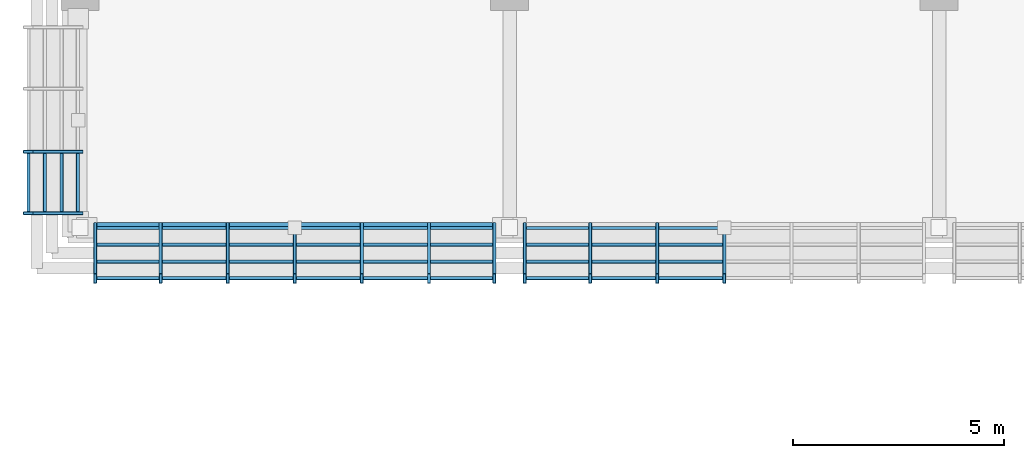
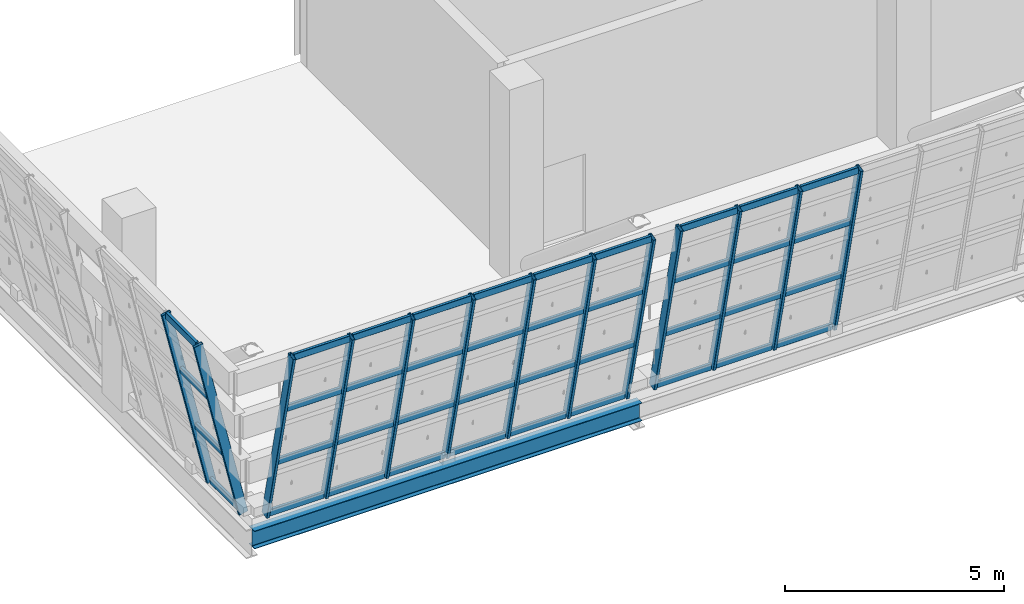
# One storey, part 21 of 175: 53 members, 1 beam, 3 elements without a shape of their own.
"""IFC4 building model written with IfcOpenShell, lengths in metres."""

from ifc_helpers import new_model, si_unit, direction, frame, origin, origin_2d, place, context, subcontext, project, spatial, hollow_rectangle, i_section, extrude, material, material_profile, profile_set, type_object, element, aggregate, save


model = new_model("IFC4")

# Units and contexts
model_context = context("Model", 3, precision=1e-05, world=origin(), true_north=direction((0.0, 1.0)))
body_context = subcontext(model_context, "Body", "Model", "MODEL_VIEW")
ifc_project = project(units=[si_unit("LENGTHUNIT", "METRE"), si_unit("AREAUNIT", "SQUARE_METRE"), si_unit("VOLUMEUNIT", "CUBIC_METRE"), si_unit("PLANEANGLEUNIT", "RADIAN"), si_unit("MASSUNIT", "GRAM", prefix="KILO")], contexts=[model_context])

# Site, building, storey
site_placement = place(None, origin())
site = spatial("IfcSite", under=ifc_project, at=site_placement, CompositionType="ELEMENT")
building_placement = place(site_placement, origin())
building = spatial("IfcBuilding", under=site, at=building_placement, Name="Brelvane Convention Centre", CompositionType="ELEMENT")
storey_placement = place(building_placement, frame((0.0, 0.0, 5.39990234375)))
storey = spatial("IfcBuildingStorey", under=building, at=storey_placement, Name="L01", CompositionType="ELEMENT", Elevation=5.39990234375)

# Curtain wall, members
ifc_material_1 = material(Name="Anodised Aluminium Alloy 6063-T6", Category="aluminium")
curtain_wall_type = type_object("IfcCurtainWallType", Name="Curtain Wall CW-HULL-S", PredefinedType="USERDEFINED", material=ifc_material_1)
curtain_wall_1_placement = place(storey_placement, origin())
curtain_wall_1 = element("IfcCurtainWall", 1, at=curtain_wall_1_placement, inside=storey, type_object=curtain_wall_type, Name="Curtain Wall CW-HULL-S L01-HULL-S-L01-01", ObjectType="UNITISED", PredefinedType="USERDEFINED")
ifc_material_2 = material(Name="Anodised Aluminium Alloy 6063-T6", Category="aluminium")
ifc_material_profile_1 = material_profile(ifc_material_2, hollow_rectangle(XDim=0.080078125, YDim=0.239990234375, WallThickness=0.006103515625, InnerFilletRadius=0.006103515625, OuterFilletRadius=0.011962890625, at=origin_2d()), Name="ALU-M 240x80x6.0")
ifc_profile_set_1 = profile_set([ifc_material_profile_1], Name="Anodised Aluminium Alloy 6063-T6")
member_type_1 = type_object("IfcMemberType", Name="Curtain Mullion CW-M1", PredefinedType="MULLION", material=ifc_profile_set_1)
member_1_placement = place(storey_placement, frame((0.360107421875, 13.60009765625, 0.0), z_axis=(0.0, -0.228360162456, 0.973576723326), x_axis=(1.0, 0.0, 0.0)))
member_1 = element("IfcMember", 2, at=member_1_placement, type_object=member_type_1, Name="CW-HULL-S mullion 1", PredefinedType="MULLION", context=body_context, shape_type="SweptSolid", body=[
    extrude(hollow_rectangle(XDim=0.080078125, YDim=0.239990234375, WallThickness=0.006103515625, InnerFilletRadius=0.006103515625, OuterFilletRadius=0.011962890625, at=origin_2d()), origin(), (0.0, 0.0, 1.0), 5.2900390625),
])
member_2_placement = place(storey_placement, frame((1.913330078125, 13.60009765625, 0.0), z_axis=(0.0, -0.228360162456, 0.973576723326), x_axis=(1.0, 0.0, 0.0)))
member_2 = element("IfcMember", 3, at=member_2_placement, type_object=member_type_1, Name="CW-HULL-S mullion 2", PredefinedType="MULLION", context=body_context, shape_type="SweptSolid", body=[
    extrude(hollow_rectangle(XDim=0.080078125, YDim=0.239990234375, WallThickness=0.006103515625, InnerFilletRadius=0.006103515625, OuterFilletRadius=0.011962890625, at=origin_2d()), origin(), (0.0, 0.0, 1.0), 5.2900390625),
])
member_3_placement = place(storey_placement, frame((3.506591796875, 13.60009765625, 0.0), z_axis=(0.0, -0.228360162456, 0.973576723326), x_axis=(1.0, 0.0, 0.0)))
member_3 = element("IfcMember", 4, at=member_3_placement, type_object=member_type_1, Name="CW-HULL-S mullion 3", PredefinedType="MULLION", context=body_context, shape_type="SweptSolid", body=[
    extrude(hollow_rectangle(XDim=0.080078125, YDim=0.239990234375, WallThickness=0.006103515625, InnerFilletRadius=0.006103515625, OuterFilletRadius=0.011962890625, at=origin_2d()), origin(), (0.0, 0.0, 1.0), 5.2900390625),
])
member_4_placement = place(storey_placement, frame((5.10009765625, 13.60009765625, 0.0), z_axis=(0.0, -0.228360162456, 0.973576723326), x_axis=(1.0, 0.0, 0.0)))
member_4 = element("IfcMember", 5, at=member_4_placement, type_object=member_type_1, Name="CW-HULL-S mullion 4", PredefinedType="MULLION", context=body_context, shape_type="SweptSolid", body=[
    extrude(hollow_rectangle(XDim=0.080078125, YDim=0.239990234375, WallThickness=0.006103515625, InnerFilletRadius=0.006103515625, OuterFilletRadius=0.011962890625, at=origin_2d()), origin(), (0.0, 0.0, 1.0), 5.2900390625),
])
member_5_placement = place(storey_placement, frame((6.693359375, 13.60009765625, 0.0), z_axis=(0.0, -0.228360162456, 0.973576723326), x_axis=(1.0, 0.0, 0.0)))
member_5 = element("IfcMember", 6, at=member_5_placement, type_object=member_type_1, Name="CW-HULL-S mullion 5", PredefinedType="MULLION", context=body_context, shape_type="SweptSolid", body=[
    extrude(hollow_rectangle(XDim=0.080078125, YDim=0.239990234375, WallThickness=0.006103515625, InnerFilletRadius=0.006103515625, OuterFilletRadius=0.011962890625, at=origin_2d()), origin(), (0.0, 0.0, 1.0), 5.2900390625),
])
member_6_placement = place(storey_placement, frame((8.28662109375, 13.60009765625, 0.0), z_axis=(0.0, -0.228360162456, 0.973576723326), x_axis=(1.0, 0.0, 0.0)))
member_6 = element("IfcMember", 7, at=member_6_placement, type_object=member_type_1, Name="CW-HULL-S mullion 6", PredefinedType="MULLION", context=body_context, shape_type="SweptSolid", body=[
    extrude(hollow_rectangle(XDim=0.080078125, YDim=0.239990234375, WallThickness=0.006103515625, InnerFilletRadius=0.006103515625, OuterFilletRadius=0.011962890625, at=origin_2d()), origin(), (0.0, 0.0, 1.0), 5.2900390625),
])
member_7_placement = place(storey_placement, frame((9.840087890625, 13.60009765625, 0.0), z_axis=(0.0, -0.228360162456, 0.973576723326), x_axis=(1.0, 0.0, 0.0)))
member_7 = element("IfcMember", 8, at=member_7_placement, type_object=member_type_1, Name="CW-HULL-S mullion 7", PredefinedType="MULLION", context=body_context, shape_type="SweptSolid", body=[
    extrude(hollow_rectangle(XDim=0.080078125, YDim=0.239990234375, WallThickness=0.006103515625, InnerFilletRadius=0.006103515625, OuterFilletRadius=0.011962890625, at=origin_2d()), origin(), (0.0, 0.0, 1.0), 5.2900390625),
])

curtain_wall_2_placement = place(storey_placement, origin())
curtain_wall_2 = element("IfcCurtainWall", 9, at=curtain_wall_2_placement, inside=storey, type_object=curtain_wall_type, Name="Curtain Wall CW-HULL-S L01-HULL-S-L01-02", ObjectType="UNITISED", PredefinedType="USERDEFINED")
member_8_placement = place(storey_placement, frame((10.56005859375, 13.60009765625, 0.0), z_axis=(0.0, -0.228360162456, 0.973576723326), x_axis=(1.0, 0.0, 0.0)))
member_8 = element("IfcMember", 10, at=member_8_placement, type_object=member_type_1, Name="CW-HULL-S mullion 1", PredefinedType="MULLION", context=body_context, shape_type="SweptSolid", body=[
    extrude(hollow_rectangle(XDim=0.080078125, YDim=0.239990234375, WallThickness=0.006103515625, InnerFilletRadius=0.006103515625, OuterFilletRadius=0.011962890625, at=origin_2d()), origin(), (0.0, 0.0, 1.0), 5.2900390625),
])
member_9_placement = place(storey_placement, frame((12.11328125, 13.60009765625, 0.0), z_axis=(0.0, -0.228360162456, 0.973576723326), x_axis=(1.0, 0.0, 0.0)))
member_9 = element("IfcMember", 11, at=member_9_placement, type_object=member_type_1, Name="CW-HULL-S mullion 2", PredefinedType="MULLION", context=body_context, shape_type="SweptSolid", body=[
    extrude(hollow_rectangle(XDim=0.080078125, YDim=0.239990234375, WallThickness=0.006103515625, InnerFilletRadius=0.006103515625, OuterFilletRadius=0.011962890625, at=origin_2d()), origin(), (0.0, 0.0, 1.0), 5.2900390625),
])
member_10_placement = place(storey_placement, frame((13.706787109375, 13.60009765625, 0.0), z_axis=(0.0, -0.228360162456, 0.973576723326), x_axis=(1.0, 0.0, 0.0)))
member_10 = element("IfcMember", 12, at=member_10_placement, type_object=member_type_1, Name="CW-HULL-S mullion 3", PredefinedType="MULLION", context=body_context, shape_type="SweptSolid", body=[
    extrude(hollow_rectangle(XDim=0.080078125, YDim=0.239990234375, WallThickness=0.006103515625, InnerFilletRadius=0.006103515625, OuterFilletRadius=0.011962890625, at=origin_2d()), origin(), (0.0, 0.0, 1.0), 5.2900390625),
])
member_11_placement = place(storey_placement, frame((15.300048828125, 13.60009765625, 0.0), z_axis=(0.0, -0.228360162456, 0.973576723326), x_axis=(1.0, 0.0, 0.0)))
member_11 = element("IfcMember", 13, at=member_11_placement, type_object=member_type_1, Name="CW-HULL-S mullion 4", PredefinedType="MULLION", context=body_context, shape_type="SweptSolid", body=[
    extrude(hollow_rectangle(XDim=0.080078125, YDim=0.239990234375, WallThickness=0.006103515625, InnerFilletRadius=0.006103515625, OuterFilletRadius=0.011962890625, at=origin_2d()), origin(), (0.0, 0.0, 1.0), 5.2900390625),
])

curtain_wall_3_placement = place(storey_placement, origin())
curtain_wall_3 = element("IfcCurtainWall", 14, at=curtain_wall_3_placement, inside=storey, type_object=curtain_wall_type, Name="Curtain Wall CW-HULL-S L01-HULL-W-GAL-L01-A", ObjectType="UNITISED", PredefinedType="USERDEFINED")
member_12_placement = place(storey_placement, frame((-0.0400390625, 13.93994140625, 0.0), z_axis=(-0.228329922226, 0.0, 0.973583815917), x_axis=(0.0, -1.0, 0.0)))
member_12 = element("IfcMember", 15, at=member_12_placement, type_object=member_type_1, Name="CW-HULL-S mullion 1", PredefinedType="MULLION", context=body_context, shape_type="SweptSolid", body=[
    extrude(hollow_rectangle(XDim=0.080078125, YDim=0.239990234375, WallThickness=0.006103515625, InnerFilletRadius=0.006103515625, OuterFilletRadius=0.011962890625, at=origin_2d()), origin(), (0.0, 0.0, 1.0), 5.218017578125),
])
member_13_placement = place(storey_placement, frame((-0.0400390625, 15.39990234375, 0.0), z_axis=(-0.228329922226, 0.0, 0.973583815917), x_axis=(0.0, -1.0, 0.0)))
member_13 = element("IfcMember", 16, at=member_13_placement, type_object=member_type_1, Name="CW-HULL-S mullion 2", PredefinedType="MULLION", context=body_context, shape_type="SweptSolid", body=[
    extrude(hollow_rectangle(XDim=0.080078125, YDim=0.239990234375, WallThickness=0.006103515625, InnerFilletRadius=0.006103515625, OuterFilletRadius=0.011962890625, at=origin_2d()), origin(), (0.0, 0.0, 1.0), 5.218017578125),
])

# Member
ifc_material_3 = material(Name="Anodised Aluminium Alloy 6063-T6", Category="aluminium")
ifc_material_profile_2 = material_profile(ifc_material_3, hollow_rectangle(XDim=0.080078125, YDim=0.179931640625, WallThickness=0.0048828125, InnerFilletRadius=0.0048828125, OuterFilletRadius=0.010009765625, at=origin_2d()), Name="ALU-T 180x80x5.0")
ifc_profile_set_2 = profile_set([ifc_material_profile_2], Name="Anodised Aluminium Alloy 6063-T6")
member_type_2 = type_object("IfcMemberType", Name="Curtain Transom CW-T1", PredefinedType="USERDEFINED", material=ifc_profile_set_2)
member_14_placement = place(storey_placement, frame((0.39990234375, 13.590576171875, 0.0400390625), z_axis=(1.0, 0.0, 0.0), x_axis=(0.0, 1.0, 0.0)))
member_14 = element("IfcMember", 17, at=member_14_placement, type_object=member_type_2, Name="CW-HULL-S transom 1.1", ObjectType="TRANSOM", PredefinedType="USERDEFINED", context=body_context, shape_type="SweptSolid", body=[
    extrude(hollow_rectangle(XDim=0.080078125, YDim=0.179931640625, WallThickness=0.0048828125, InnerFilletRadius=0.0048828125, OuterFilletRadius=0.010009765625, at=origin_2d()), origin(), (0.0, 0.0, 1.0), 1.473388671875),
])

member_15_placement = place(storey_placement, frame((0.39990234375, 13.197265625, 1.716796875), z_axis=(1.0, 0.0, 0.0), x_axis=(0.0, 1.0, 0.0)))
member_15 = element("IfcMember", 18, at=member_15_placement, type_object=member_type_2, Name="CW-HULL-S transom 1.2", ObjectType="TRANSOM", PredefinedType="USERDEFINED", context=body_context, shape_type="SweptSolid", body=[
    extrude(hollow_rectangle(XDim=0.080078125, YDim=0.179931640625, WallThickness=0.0048828125, InnerFilletRadius=0.0048828125, OuterFilletRadius=0.010009765625, at=origin_2d()), origin(), (0.0, 0.0, 1.0), 1.473388671875),
])

member_16_placement = place(storey_placement, frame((0.39990234375, 12.794677734375, 3.433349609375), z_axis=(1.0, 0.0, 0.0), x_axis=(0.0, 1.0, 0.0)))
member_16 = element("IfcMember", 19, at=member_16_placement, type_object=member_type_2, Name="CW-HULL-S transom 1.3", ObjectType="TRANSOM", PredefinedType="USERDEFINED", context=body_context, shape_type="SweptSolid", body=[
    extrude(hollow_rectangle(XDim=0.080078125, YDim=0.179931640625, WallThickness=0.0048828125, InnerFilletRadius=0.0048828125, OuterFilletRadius=0.010009765625, at=origin_2d()), origin(), (0.0, 0.0, 1.0), 1.473388671875),
])

member_17_placement = place(storey_placement, frame((0.39990234375, 12.4013671875, 5.110107421875), z_axis=(1.0, 0.0, 0.0), x_axis=(0.0, 1.0, 0.0)))
member_17 = element("IfcMember", 20, at=member_17_placement, type_object=member_type_2, Name="CW-HULL-S transom 1.4", ObjectType="TRANSOM", PredefinedType="USERDEFINED", context=body_context, shape_type="SweptSolid", body=[
    extrude(hollow_rectangle(XDim=0.080078125, YDim=0.179931640625, WallThickness=0.0048828125, InnerFilletRadius=0.0048828125, OuterFilletRadius=0.010009765625, at=origin_2d()), origin(), (0.0, 0.0, 1.0), 1.473388671875),
])

member_18_placement = place(storey_placement, frame((1.953369140625, 13.590576171875, 0.0400390625), z_axis=(1.0, 0.0, 0.0), x_axis=(0.0, 1.0, 0.0)))
member_18 = element("IfcMember", 21, at=member_18_placement, type_object=member_type_2, Name="CW-HULL-S transom 2.1", ObjectType="TRANSOM", PredefinedType="USERDEFINED", context=body_context, shape_type="SweptSolid", body=[
    extrude(hollow_rectangle(XDim=0.080078125, YDim=0.179931640625, WallThickness=0.0048828125, InnerFilletRadius=0.0048828125, OuterFilletRadius=0.010009765625, at=origin_2d()), origin(), (0.0, 0.0, 1.0), 1.51318359375),
])

member_19_placement = place(storey_placement, frame((1.953369140625, 13.197265625, 1.716796875), z_axis=(1.0, 0.0, 0.0), x_axis=(0.0, 1.0, 0.0)))
member_19 = element("IfcMember", 22, at=member_19_placement, type_object=member_type_2, Name="CW-HULL-S transom 2.2", ObjectType="TRANSOM", PredefinedType="USERDEFINED", context=body_context, shape_type="SweptSolid", body=[
    extrude(hollow_rectangle(XDim=0.080078125, YDim=0.179931640625, WallThickness=0.0048828125, InnerFilletRadius=0.0048828125, OuterFilletRadius=0.010009765625, at=origin_2d()), origin(), (0.0, 0.0, 1.0), 1.51318359375),
])

member_20_placement = place(storey_placement, frame((1.953369140625, 12.794677734375, 3.433349609375), z_axis=(1.0, 0.0, 0.0), x_axis=(0.0, 1.0, 0.0)))
member_20 = element("IfcMember", 23, at=member_20_placement, type_object=member_type_2, Name="CW-HULL-S transom 2.3", ObjectType="TRANSOM", PredefinedType="USERDEFINED", context=body_context, shape_type="SweptSolid", body=[
    extrude(hollow_rectangle(XDim=0.080078125, YDim=0.179931640625, WallThickness=0.0048828125, InnerFilletRadius=0.0048828125, OuterFilletRadius=0.010009765625, at=origin_2d()), origin(), (0.0, 0.0, 1.0), 1.51318359375),
])

member_21_placement = place(storey_placement, frame((1.953369140625, 12.4013671875, 5.110107421875), z_axis=(1.0, 0.0, 0.0), x_axis=(0.0, 1.0, 0.0)))
member_21 = element("IfcMember", 24, at=member_21_placement, type_object=member_type_2, Name="CW-HULL-S transom 2.4", ObjectType="TRANSOM", PredefinedType="USERDEFINED", context=body_context, shape_type="SweptSolid", body=[
    extrude(hollow_rectangle(XDim=0.080078125, YDim=0.179931640625, WallThickness=0.0048828125, InnerFilletRadius=0.0048828125, OuterFilletRadius=0.010009765625, at=origin_2d()), origin(), (0.0, 0.0, 1.0), 1.51318359375),
])

member_22_placement = place(storey_placement, frame((3.546630859375, 13.590576171875, 0.0400390625), z_axis=(1.0, 0.0, 0.0), x_axis=(0.0, 1.0, 0.0)))
member_22 = element("IfcMember", 25, at=member_22_placement, type_object=member_type_2, Name="CW-HULL-S transom 3.1", ObjectType="TRANSOM", PredefinedType="USERDEFINED", context=body_context, shape_type="SweptSolid", body=[
    extrude(hollow_rectangle(XDim=0.080078125, YDim=0.179931640625, WallThickness=0.0048828125, InnerFilletRadius=0.0048828125, OuterFilletRadius=0.010009765625, at=origin_2d()), origin(), (0.0, 0.0, 1.0), 1.513427734375),
])

member_23_placement = place(storey_placement, frame((3.546630859375, 13.197265625, 1.716796875), z_axis=(1.0, 0.0, 0.0), x_axis=(0.0, 1.0, 0.0)))
member_23 = element("IfcMember", 26, at=member_23_placement, type_object=member_type_2, Name="CW-HULL-S transom 3.2", ObjectType="TRANSOM", PredefinedType="USERDEFINED", context=body_context, shape_type="SweptSolid", body=[
    extrude(hollow_rectangle(XDim=0.080078125, YDim=0.179931640625, WallThickness=0.0048828125, InnerFilletRadius=0.0048828125, OuterFilletRadius=0.010009765625, at=origin_2d()), origin(), (0.0, 0.0, 1.0), 1.513427734375),
])

member_24_placement = place(storey_placement, frame((3.546630859375, 12.794677734375, 3.433349609375), z_axis=(1.0, 0.0, 0.0), x_axis=(0.0, 1.0, 0.0)))
member_24 = element("IfcMember", 27, at=member_24_placement, type_object=member_type_2, Name="CW-HULL-S transom 3.3", ObjectType="TRANSOM", PredefinedType="USERDEFINED", context=body_context, shape_type="SweptSolid", body=[
    extrude(hollow_rectangle(XDim=0.080078125, YDim=0.179931640625, WallThickness=0.0048828125, InnerFilletRadius=0.0048828125, OuterFilletRadius=0.010009765625, at=origin_2d()), origin(), (0.0, 0.0, 1.0), 1.513427734375),
])

member_25_placement = place(storey_placement, frame((3.546630859375, 12.4013671875, 5.110107421875), z_axis=(1.0, 0.0, 0.0), x_axis=(0.0, 1.0, 0.0)))
member_25 = element("IfcMember", 28, at=member_25_placement, type_object=member_type_2, Name="CW-HULL-S transom 3.4", ObjectType="TRANSOM", PredefinedType="USERDEFINED", context=body_context, shape_type="SweptSolid", body=[
    extrude(hollow_rectangle(XDim=0.080078125, YDim=0.179931640625, WallThickness=0.0048828125, InnerFilletRadius=0.0048828125, OuterFilletRadius=0.010009765625, at=origin_2d()), origin(), (0.0, 0.0, 1.0), 1.513427734375),
])

member_26_placement = place(storey_placement, frame((5.139892578125, 13.590576171875, 0.0400390625), z_axis=(1.0, 0.0, 0.0), x_axis=(0.0, 1.0, 0.0)))
member_26 = element("IfcMember", 29, at=member_26_placement, type_object=member_type_2, Name="CW-HULL-S transom 4.1", ObjectType="TRANSOM", PredefinedType="USERDEFINED", context=body_context, shape_type="SweptSolid", body=[
    extrude(hollow_rectangle(XDim=0.080078125, YDim=0.179931640625, WallThickness=0.0048828125, InnerFilletRadius=0.0048828125, OuterFilletRadius=0.010009765625, at=origin_2d()), origin(), (0.0, 0.0, 1.0), 1.513427734375),
])

member_27_placement = place(storey_placement, frame((5.139892578125, 13.197265625, 1.716796875), z_axis=(1.0, 0.0, 0.0), x_axis=(0.0, 1.0, 0.0)))
member_27 = element("IfcMember", 30, at=member_27_placement, type_object=member_type_2, Name="CW-HULL-S transom 4.2", ObjectType="TRANSOM", PredefinedType="USERDEFINED", context=body_context, shape_type="SweptSolid", body=[
    extrude(hollow_rectangle(XDim=0.080078125, YDim=0.179931640625, WallThickness=0.0048828125, InnerFilletRadius=0.0048828125, OuterFilletRadius=0.010009765625, at=origin_2d()), origin(), (0.0, 0.0, 1.0), 1.513427734375),
])

member_28_placement = place(storey_placement, frame((5.139892578125, 12.794677734375, 3.433349609375), z_axis=(1.0, 0.0, 0.0), x_axis=(0.0, 1.0, 0.0)))
member_28 = element("IfcMember", 31, at=member_28_placement, type_object=member_type_2, Name="CW-HULL-S transom 4.3", ObjectType="TRANSOM", PredefinedType="USERDEFINED", context=body_context, shape_type="SweptSolid", body=[
    extrude(hollow_rectangle(XDim=0.080078125, YDim=0.179931640625, WallThickness=0.0048828125, InnerFilletRadius=0.0048828125, OuterFilletRadius=0.010009765625, at=origin_2d()), origin(), (0.0, 0.0, 1.0), 1.513427734375),
])

member_29_placement = place(storey_placement, frame((5.139892578125, 12.4013671875, 5.110107421875), z_axis=(1.0, 0.0, 0.0), x_axis=(0.0, 1.0, 0.0)))
member_29 = element("IfcMember", 32, at=member_29_placement, type_object=member_type_2, Name="CW-HULL-S transom 4.4", ObjectType="TRANSOM", PredefinedType="USERDEFINED", context=body_context, shape_type="SweptSolid", body=[
    extrude(hollow_rectangle(XDim=0.080078125, YDim=0.179931640625, WallThickness=0.0048828125, InnerFilletRadius=0.0048828125, OuterFilletRadius=0.010009765625, at=origin_2d()), origin(), (0.0, 0.0, 1.0), 1.513427734375),
])

member_30_placement = place(storey_placement, frame((6.7333984375, 13.590576171875, 0.0400390625), z_axis=(1.0, 0.0, 0.0), x_axis=(0.0, 1.0, 0.0)))
member_30 = element("IfcMember", 33, at=member_30_placement, type_object=member_type_2, Name="CW-HULL-S transom 5.1", ObjectType="TRANSOM", PredefinedType="USERDEFINED", context=body_context, shape_type="SweptSolid", body=[
    extrude(hollow_rectangle(XDim=0.080078125, YDim=0.179931640625, WallThickness=0.0048828125, InnerFilletRadius=0.0048828125, OuterFilletRadius=0.010009765625, at=origin_2d()), origin(), (0.0, 0.0, 1.0), 1.51318359375),
])

member_31_placement = place(storey_placement, frame((6.7333984375, 13.197265625, 1.716796875), z_axis=(1.0, 0.0, 0.0), x_axis=(0.0, 1.0, 0.0)))
member_31 = element("IfcMember", 34, at=member_31_placement, type_object=member_type_2, Name="CW-HULL-S transom 5.2", ObjectType="TRANSOM", PredefinedType="USERDEFINED", context=body_context, shape_type="SweptSolid", body=[
    extrude(hollow_rectangle(XDim=0.080078125, YDim=0.179931640625, WallThickness=0.0048828125, InnerFilletRadius=0.0048828125, OuterFilletRadius=0.010009765625, at=origin_2d()), origin(), (0.0, 0.0, 1.0), 1.51318359375),
])

member_32_placement = place(storey_placement, frame((6.7333984375, 12.794677734375, 3.433349609375), z_axis=(1.0, 0.0, 0.0), x_axis=(0.0, 1.0, 0.0)))
member_32 = element("IfcMember", 35, at=member_32_placement, type_object=member_type_2, Name="CW-HULL-S transom 5.3", ObjectType="TRANSOM", PredefinedType="USERDEFINED", context=body_context, shape_type="SweptSolid", body=[
    extrude(hollow_rectangle(XDim=0.080078125, YDim=0.179931640625, WallThickness=0.0048828125, InnerFilletRadius=0.0048828125, OuterFilletRadius=0.010009765625, at=origin_2d()), origin(), (0.0, 0.0, 1.0), 1.51318359375),
])

member_33_placement = place(storey_placement, frame((6.7333984375, 12.4013671875, 5.110107421875), z_axis=(1.0, 0.0, 0.0), x_axis=(0.0, 1.0, 0.0)))
member_33 = element("IfcMember", 36, at=member_33_placement, type_object=member_type_2, Name="CW-HULL-S transom 5.4", ObjectType="TRANSOM", PredefinedType="USERDEFINED", context=body_context, shape_type="SweptSolid", body=[
    extrude(hollow_rectangle(XDim=0.080078125, YDim=0.179931640625, WallThickness=0.0048828125, InnerFilletRadius=0.0048828125, OuterFilletRadius=0.010009765625, at=origin_2d()), origin(), (0.0, 0.0, 1.0), 1.51318359375),
])

member_34_placement = place(storey_placement, frame((8.32666015625, 13.590576171875, 0.0400390625), z_axis=(1.0, 0.0, 0.0), x_axis=(0.0, 1.0, 0.0)))
member_34 = element("IfcMember", 37, at=member_34_placement, type_object=member_type_2, Name="CW-HULL-S transom 6.1", ObjectType="TRANSOM", PredefinedType="USERDEFINED", context=body_context, shape_type="SweptSolid", body=[
    extrude(hollow_rectangle(XDim=0.080078125, YDim=0.179931640625, WallThickness=0.0048828125, InnerFilletRadius=0.0048828125, OuterFilletRadius=0.010009765625, at=origin_2d()), origin(), (0.0, 0.0, 1.0), 1.473388671875),
])

member_35_placement = place(storey_placement, frame((8.32666015625, 13.197265625, 1.716796875), z_axis=(1.0, 0.0, 0.0), x_axis=(0.0, 1.0, 0.0)))
member_35 = element("IfcMember", 38, at=member_35_placement, type_object=member_type_2, Name="CW-HULL-S transom 6.2", ObjectType="TRANSOM", PredefinedType="USERDEFINED", context=body_context, shape_type="SweptSolid", body=[
    extrude(hollow_rectangle(XDim=0.080078125, YDim=0.179931640625, WallThickness=0.0048828125, InnerFilletRadius=0.0048828125, OuterFilletRadius=0.010009765625, at=origin_2d()), origin(), (0.0, 0.0, 1.0), 1.473388671875),
])

member_36_placement = place(storey_placement, frame((8.32666015625, 12.794677734375, 3.433349609375), z_axis=(1.0, 0.0, 0.0), x_axis=(0.0, 1.0, 0.0)))
member_36 = element("IfcMember", 39, at=member_36_placement, type_object=member_type_2, Name="CW-HULL-S transom 6.3", ObjectType="TRANSOM", PredefinedType="USERDEFINED", context=body_context, shape_type="SweptSolid", body=[
    extrude(hollow_rectangle(XDim=0.080078125, YDim=0.179931640625, WallThickness=0.0048828125, InnerFilletRadius=0.0048828125, OuterFilletRadius=0.010009765625, at=origin_2d()), origin(), (0.0, 0.0, 1.0), 1.473388671875),
])

member_37_placement = place(storey_placement, frame((8.32666015625, 12.4013671875, 5.110107421875), z_axis=(1.0, 0.0, 0.0), x_axis=(0.0, 1.0, 0.0)))
member_37 = element("IfcMember", 40, at=member_37_placement, type_object=member_type_2, Name="CW-HULL-S transom 6.4", ObjectType="TRANSOM", PredefinedType="USERDEFINED", context=body_context, shape_type="SweptSolid", body=[
    extrude(hollow_rectangle(XDim=0.080078125, YDim=0.179931640625, WallThickness=0.0048828125, InnerFilletRadius=0.0048828125, OuterFilletRadius=0.010009765625, at=origin_2d()), origin(), (0.0, 0.0, 1.0), 1.473388671875),
])

aggregate(curtain_wall_1, [member_1, member_2, member_3, member_4, member_5, member_6, member_7, member_14, member_15, member_16, member_17, member_18, member_19, member_20, member_21, member_22, member_23, member_24, member_25, member_26, member_27, member_28, member_29, member_30, member_31, member_32, member_33, member_34, member_35, member_36, member_37])

member_38_placement = place(storey_placement, frame((10.60009765625, 13.590576171875, 0.0400390625), z_axis=(1.0, 0.0, 0.0), x_axis=(0.0, 1.0, 0.0)))
member_38 = element("IfcMember", 41, at=member_38_placement, type_object=member_type_2, Name="CW-HULL-S transom 1.1", ObjectType="TRANSOM", PredefinedType="USERDEFINED", context=body_context, shape_type="SweptSolid", body=[
    extrude(hollow_rectangle(XDim=0.080078125, YDim=0.179931640625, WallThickness=0.0048828125, InnerFilletRadius=0.0048828125, OuterFilletRadius=0.010009765625, at=origin_2d()), origin(), (0.0, 0.0, 1.0), 1.47314453125),
])

member_39_placement = place(storey_placement, frame((10.60009765625, 13.197265625, 1.716796875), z_axis=(1.0, 0.0, 0.0), x_axis=(0.0, 1.0, 0.0)))
member_39 = element("IfcMember", 42, at=member_39_placement, type_object=member_type_2, Name="CW-HULL-S transom 1.2", ObjectType="TRANSOM", PredefinedType="USERDEFINED", context=body_context, shape_type="SweptSolid", body=[
    extrude(hollow_rectangle(XDim=0.080078125, YDim=0.179931640625, WallThickness=0.0048828125, InnerFilletRadius=0.0048828125, OuterFilletRadius=0.010009765625, at=origin_2d()), origin(), (0.0, 0.0, 1.0), 1.47314453125),
])

member_40_placement = place(storey_placement, frame((10.60009765625, 12.794677734375, 3.433349609375), z_axis=(1.0, 0.0, 0.0), x_axis=(0.0, 1.0, 0.0)))
member_40 = element("IfcMember", 43, at=member_40_placement, type_object=member_type_2, Name="CW-HULL-S transom 1.3", ObjectType="TRANSOM", PredefinedType="USERDEFINED", context=body_context, shape_type="SweptSolid", body=[
    extrude(hollow_rectangle(XDim=0.080078125, YDim=0.179931640625, WallThickness=0.0048828125, InnerFilletRadius=0.0048828125, OuterFilletRadius=0.010009765625, at=origin_2d()), origin(), (0.0, 0.0, 1.0), 1.47314453125),
])

member_41_placement = place(storey_placement, frame((10.60009765625, 12.4013671875, 5.110107421875), z_axis=(1.0, 0.0, 0.0), x_axis=(0.0, 1.0, 0.0)))
member_41 = element("IfcMember", 44, at=member_41_placement, type_object=member_type_2, Name="CW-HULL-S transom 1.4", ObjectType="TRANSOM", PredefinedType="USERDEFINED", context=body_context, shape_type="SweptSolid", body=[
    extrude(hollow_rectangle(XDim=0.080078125, YDim=0.179931640625, WallThickness=0.0048828125, InnerFilletRadius=0.0048828125, OuterFilletRadius=0.010009765625, at=origin_2d()), origin(), (0.0, 0.0, 1.0), 1.47314453125),
])

member_42_placement = place(storey_placement, frame((12.1533203125, 13.590576171875, 0.0400390625), z_axis=(1.0, 0.0, 0.0), x_axis=(0.0, 1.0, 0.0)))
member_42 = element("IfcMember", 45, at=member_42_placement, type_object=member_type_2, Name="CW-HULL-S transom 2.1", ObjectType="TRANSOM", PredefinedType="USERDEFINED", context=body_context, shape_type="SweptSolid", body=[
    extrude(hollow_rectangle(XDim=0.080078125, YDim=0.179931640625, WallThickness=0.0048828125, InnerFilletRadius=0.0048828125, OuterFilletRadius=0.010009765625, at=origin_2d()), origin(), (0.0, 0.0, 1.0), 1.513427734375),
])

member_43_placement = place(storey_placement, frame((12.1533203125, 13.197265625, 1.716796875), z_axis=(1.0, 0.0, 0.0), x_axis=(0.0, 1.0, 0.0)))
member_43 = element("IfcMember", 46, at=member_43_placement, type_object=member_type_2, Name="CW-HULL-S transom 2.2", ObjectType="TRANSOM", PredefinedType="USERDEFINED", context=body_context, shape_type="SweptSolid", body=[
    extrude(hollow_rectangle(XDim=0.080078125, YDim=0.179931640625, WallThickness=0.0048828125, InnerFilletRadius=0.0048828125, OuterFilletRadius=0.010009765625, at=origin_2d()), origin(), (0.0, 0.0, 1.0), 1.513427734375),
])

member_44_placement = place(storey_placement, frame((12.1533203125, 12.794677734375, 3.433349609375), z_axis=(1.0, 0.0, 0.0), x_axis=(0.0, 1.0, 0.0)))
member_44 = element("IfcMember", 47, at=member_44_placement, type_object=member_type_2, Name="CW-HULL-S transom 2.3", ObjectType="TRANSOM", PredefinedType="USERDEFINED", context=body_context, shape_type="SweptSolid", body=[
    extrude(hollow_rectangle(XDim=0.080078125, YDim=0.179931640625, WallThickness=0.0048828125, InnerFilletRadius=0.0048828125, OuterFilletRadius=0.010009765625, at=origin_2d()), origin(), (0.0, 0.0, 1.0), 1.513427734375),
])

member_45_placement = place(storey_placement, frame((12.1533203125, 12.4013671875, 5.110107421875), z_axis=(1.0, 0.0, 0.0), x_axis=(0.0, 1.0, 0.0)))
member_45 = element("IfcMember", 48, at=member_45_placement, type_object=member_type_2, Name="CW-HULL-S transom 2.4", ObjectType="TRANSOM", PredefinedType="USERDEFINED", context=body_context, shape_type="SweptSolid", body=[
    extrude(hollow_rectangle(XDim=0.080078125, YDim=0.179931640625, WallThickness=0.0048828125, InnerFilletRadius=0.0048828125, OuterFilletRadius=0.010009765625, at=origin_2d()), origin(), (0.0, 0.0, 1.0), 1.513427734375),
])

member_46_placement = place(storey_placement, frame((13.74658203125, 13.590576171875, 0.0400390625), z_axis=(1.0, 0.0, 0.0), x_axis=(0.0, 1.0, 0.0)))
member_46 = element("IfcMember", 49, at=member_46_placement, type_object=member_type_2, Name="CW-HULL-S transom 3.1", ObjectType="TRANSOM", PredefinedType="USERDEFINED", context=body_context, shape_type="SweptSolid", body=[
    extrude(hollow_rectangle(XDim=0.080078125, YDim=0.179931640625, WallThickness=0.0048828125, InnerFilletRadius=0.0048828125, OuterFilletRadius=0.010009765625, at=origin_2d()), origin(), (0.0, 0.0, 1.0), 1.513427734375),
])

member_47_placement = place(storey_placement, frame((13.74658203125, 13.197265625, 1.716796875), z_axis=(1.0, 0.0, 0.0), x_axis=(0.0, 1.0, 0.0)))
member_47 = element("IfcMember", 50, at=member_47_placement, type_object=member_type_2, Name="CW-HULL-S transom 3.2", ObjectType="TRANSOM", PredefinedType="USERDEFINED", context=body_context, shape_type="SweptSolid", body=[
    extrude(hollow_rectangle(XDim=0.080078125, YDim=0.179931640625, WallThickness=0.0048828125, InnerFilletRadius=0.0048828125, OuterFilletRadius=0.010009765625, at=origin_2d()), origin(), (0.0, 0.0, 1.0), 1.513427734375),
])

member_48_placement = place(storey_placement, frame((13.74658203125, 12.794677734375, 3.433349609375), z_axis=(1.0, 0.0, 0.0), x_axis=(0.0, 1.0, 0.0)))
member_48 = element("IfcMember", 51, at=member_48_placement, type_object=member_type_2, Name="CW-HULL-S transom 3.3", ObjectType="TRANSOM", PredefinedType="USERDEFINED", context=body_context, shape_type="SweptSolid", body=[
    extrude(hollow_rectangle(XDim=0.080078125, YDim=0.179931640625, WallThickness=0.0048828125, InnerFilletRadius=0.0048828125, OuterFilletRadius=0.010009765625, at=origin_2d()), origin(), (0.0, 0.0, 1.0), 1.513427734375),
])

member_49_placement = place(storey_placement, frame((13.74658203125, 12.4013671875, 5.110107421875), z_axis=(1.0, 0.0, 0.0), x_axis=(0.0, 1.0, 0.0)))
member_49 = element("IfcMember", 52, at=member_49_placement, type_object=member_type_2, Name="CW-HULL-S transom 3.4", ObjectType="TRANSOM", PredefinedType="USERDEFINED", context=body_context, shape_type="SweptSolid", body=[
    extrude(hollow_rectangle(XDim=0.080078125, YDim=0.179931640625, WallThickness=0.0048828125, InnerFilletRadius=0.0048828125, OuterFilletRadius=0.010009765625, at=origin_2d()), origin(), (0.0, 0.0, 1.0), 1.513427734375),
])

aggregate(curtain_wall_2, [member_8, member_9, member_10, member_11, member_38, member_39, member_40, member_41, member_42, member_43, member_44, member_45, member_46, member_47, member_48, member_49])

member_50_placement = place(storey_placement, frame((-0.04931640625, 13.97998046875, 0.0400390625), z_axis=(0.0, 1.0, 0.0), x_axis=(-1.0, 0.0, 0.0)))
member_50 = element("IfcMember", 53, at=member_50_placement, type_object=member_type_2, Name="CW-HULL-S transom 1.1", ObjectType="TRANSOM", PredefinedType="USERDEFINED", context=body_context, shape_type="SweptSolid", body=[
    extrude(hollow_rectangle(XDim=0.080078125, YDim=0.179931640625, WallThickness=0.0048828125, InnerFilletRadius=0.0048828125, OuterFilletRadius=0.010009765625, at=origin_2d()), origin(), (0.0, 0.0, 1.0), 1.380126953125),
])

member_51_placement = place(storey_placement, frame((-0.437255859375, 13.97998046875, 1.693359375), z_axis=(0.0, 1.0, 0.0), x_axis=(-1.0, 0.0, 0.0)))
member_51 = element("IfcMember", 54, at=member_51_placement, type_object=member_type_2, Name="CW-HULL-S transom 1.2", ObjectType="TRANSOM", PredefinedType="USERDEFINED", context=body_context, shape_type="SweptSolid", body=[
    extrude(hollow_rectangle(XDim=0.080078125, YDim=0.179931640625, WallThickness=0.0048828125, InnerFilletRadius=0.0048828125, OuterFilletRadius=0.010009765625, at=origin_2d()), origin(), (0.0, 0.0, 1.0), 1.380126953125),
])

member_52_placement = place(storey_placement, frame((-0.834228515625, 13.97998046875, 3.38671875), z_axis=(0.0, 1.0, 0.0), x_axis=(-1.0, 0.0, 0.0)))
member_52 = element("IfcMember", 55, at=member_52_placement, type_object=member_type_2, Name="CW-HULL-S transom 1.3", ObjectType="TRANSOM", PredefinedType="USERDEFINED", context=body_context, shape_type="SweptSolid", body=[
    extrude(hollow_rectangle(XDim=0.080078125, YDim=0.179931640625, WallThickness=0.0048828125, InnerFilletRadius=0.0048828125, OuterFilletRadius=0.010009765625, at=origin_2d()), origin(), (0.0, 0.0, 1.0), 1.380126953125),
])

member_53_placement = place(storey_placement, frame((-1.22216796875, 13.97998046875, 5.0400390625), z_axis=(0.0, 1.0, 0.0), x_axis=(-1.0, 0.0, 0.0)))
member_53 = element("IfcMember", 56, at=member_53_placement, type_object=member_type_2, Name="CW-HULL-S transom 1.4", ObjectType="TRANSOM", PredefinedType="USERDEFINED", context=body_context, shape_type="SweptSolid", body=[
    extrude(hollow_rectangle(XDim=0.080078125, YDim=0.179931640625, WallThickness=0.0048828125, InnerFilletRadius=0.0048828125, OuterFilletRadius=0.010009765625, at=origin_2d()), origin(), (0.0, 0.0, 1.0), 1.380126953125),
])

aggregate(curtain_wall_3, [member_12, member_13, member_50, member_51, member_52, member_53])

# Beam
ifc_material_4 = material(Name="Steel E350 (350 MPa)", Category="steel")
ifc_material_profile_3 = material_profile(ifc_material_4, i_section(OverallWidth=0.25, OverallDepth=0.5, WebThickness=0.010009765625, FlangeThickness=0.0146484375, FilletRadius=0.01611328125, at=origin_2d()), Name="ISWB 500")
ifc_profile_set_3 = profile_set([ifc_material_profile_3], Name="Steel E350 (350 MPa)")
beam_type = type_object("IfcBeamType", Name="Steel Spandrel SP-ST1 (ISWB 500)", PredefinedType="SPANDREL", material=ifc_profile_set_3)
beam_placement = place(storey_placement, frame((0.0, 13.60009765625, -0.510009765625), z_axis=(1.0, 0.0, 0.0), x_axis=(0.0, 1.0, 0.0)))
element("IfcBeam", 57, at=beam_placement, inside=storey, type_object=beam_type, Name="L01 Hull Overhang Edge Spandrel 1", PredefinedType="SPANDREL", context=body_context, shape_type="SweptSolid", body=[
    extrude(i_section(OverallWidth=0.25, OverallDepth=0.5, WebThickness=0.010009765625, FlangeThickness=0.0146484375, FilletRadius=0.01611328125, at=origin_2d()), origin(), (0.0, 0.0, 1.0), 10.199951171875),
])

save(model, "model.ifc")
